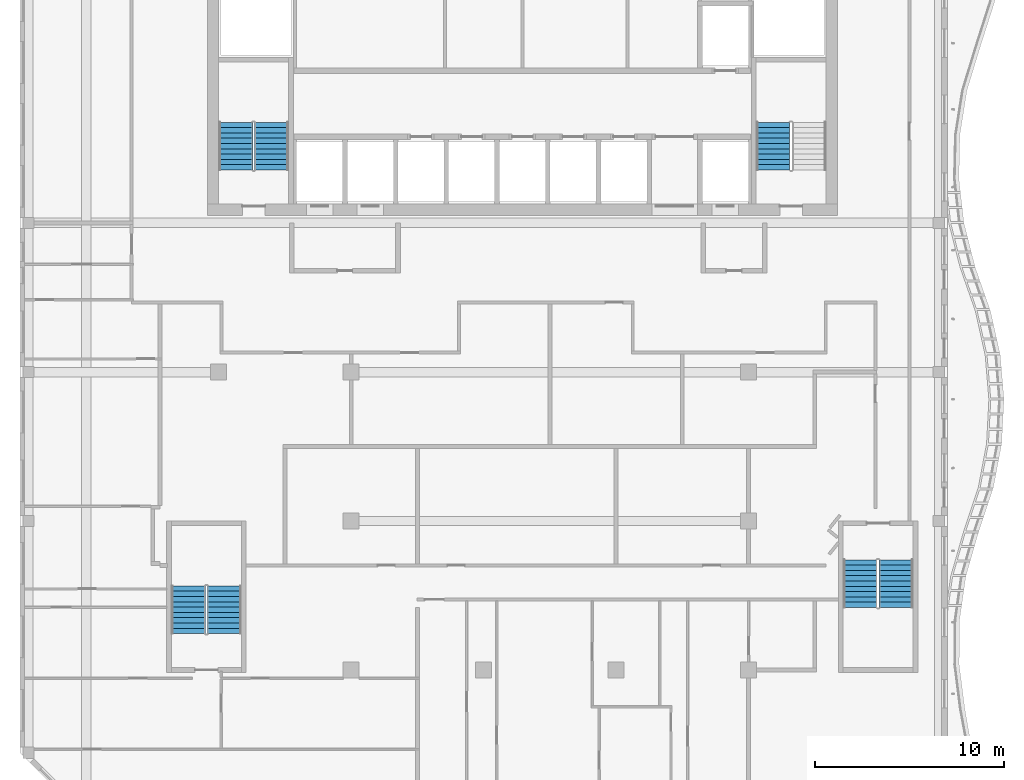
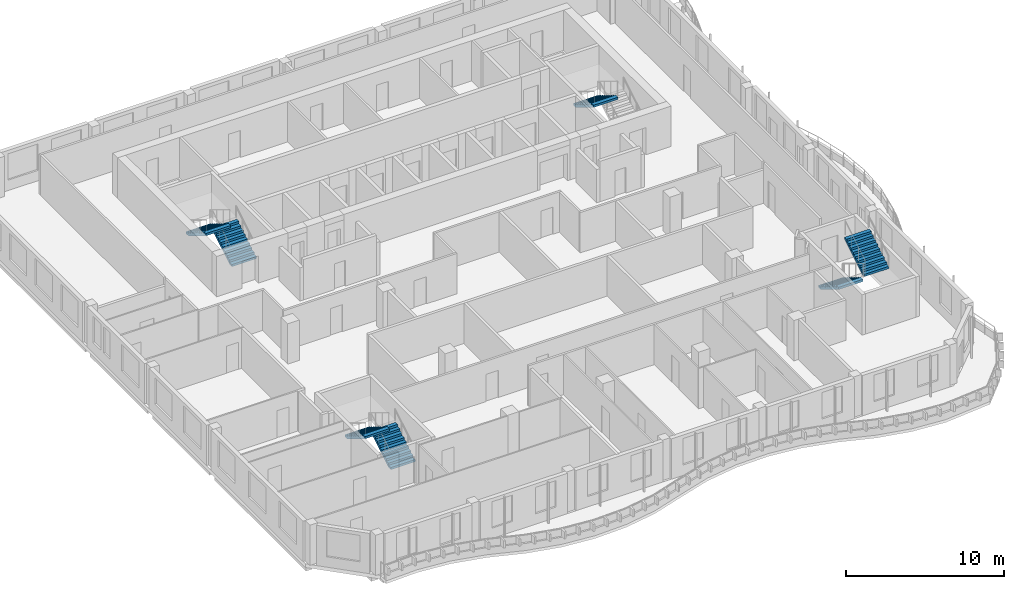
# One storey, part 9 of 18: 7 stair flights, 4 elements without a shape of their own.
"""IFC4 building model written with IfcOpenShell, lengths in metres."""

import ifcopenshell
import ifcopenshell.guid

model = None  # the IFC model being written
_history = None  # IfcOwnerHistory: only IFC2X3 demands one
_inside = {}  # id of a spatial element -> (the spatial element, [elements in it])
_under = {}  # id of a project, library or spatial element -> (it, [spatial elements below it])
_declared = {}  # id of a project -> (the project, [libraries it declares])
_typed = {}  # id of a type object -> (the type object, [elements of that type])
_made_of = {}  # id of a material, layer set ... -> (it, [elements and type objects made of it])


def new_model(schema):
    """Start an empty IFC model of exactly this schema.

    Asked for "IFC4X3", IfcOpenShell would pick the latest addendum, in which some entities
    have other attributes; the version numbers below select the first issue.
    IFC2X3 requires an IfcOwnerHistory on every rooted entity: one is made here for all.
    """
    global model, _history
    if schema == "IFC4X3":
        model = ifcopenshell.file(schema_version=(4, 3, 0, 0))
    else:
        model = ifcopenshell.file(schema=schema)
    _inside.clear()
    _under.clear()
    _declared.clear()
    _typed.clear()
    _made_of.clear()
    _history = None
    if model.schema == "IFC2X3":
        org = make("IfcOrganization", Name="unknown")
        user = make(
            "IfcPersonAndOrganization",
            ThePerson=make("IfcPerson", FamilyName="unknown"),
            TheOrganization=org,
        )
        app = make(
            "IfcApplication",
            ApplicationDeveloper=org,
            Version="unknown",
            ApplicationFullName="unknown",
            ApplicationIdentifier="unknown",
        )
        _history = make(
            "IfcOwnerHistory",
            OwningUser=user,
            OwningApplication=app,
            ChangeAction="ADDED",
            CreationDate=0,
        )
    return model


def make(cls, **values):
    """One entity of the class cls with the attributes given. An attribute that is None is left unset."""
    return model.create_entity(
        cls, **{name: value for name, value in values.items() if value is not None}
    )


def rooted(cls, **values):
    """An entity with a GlobalId (a new one), such as an element, a storey or a relation."""
    return make(cls, GlobalId=ifcopenshell.guid.new(), OwnerHistory=_history, **values)


def si_unit(unit_type, name, prefix=None):
    """IfcSIUnit, for example si_unit("LENGTHUNIT", "METRE", prefix="MILLI")."""
    return make("IfcSIUnit", UnitType=unit_type, Prefix=prefix, Name=name)


def assignment(units):
    """IfcUnitAssignment: the units of a project."""
    return None if units is None else make("IfcUnitAssignment", Units=units)


def point(xyz):
    """IfcCartesianPoint."""
    return None if xyz is None else make("IfcCartesianPoint", Coordinates=xyz)


def direction(xyz):
    """IfcDirection."""
    return None if xyz is None else make("IfcDirection", DirectionRatios=xyz)


def frame(location, z_axis=None, x_axis=None):
    """IfcAxis2Placement3D, a coordinate frame: its origin and axes. An axis left out is left unset."""
    return make(
        "IfcAxis2Placement3D",
        Location=point(location),
        Axis=direction(z_axis),
        RefDirection=direction(x_axis),
    )


def origin():
    """The frame at (0, 0, 0) with its axes left unset."""
    return frame((0.0, 0.0, 0.0))


def place(relative_to, where):
    """IfcLocalPlacement: puts the frame where relative to a parent placement (None: the world)."""
    return make(
        "IfcLocalPlacement", PlacementRelTo=relative_to, RelativePlacement=where
    )


def context(
    kind, dimensions, precision=None, world=None, true_north=None, identifier=None
):
    """IfcGeometricRepresentationContext, for example the 3D "Model" context."""
    return make(
        "IfcGeometricRepresentationContext",
        ContextIdentifier=identifier,
        ContextType=kind,
        CoordinateSpaceDimension=dimensions,
        Precision=precision,
        WorldCoordinateSystem=world,
        TrueNorth=true_north,
    )


def subcontext(parent, identifier, kind, view, scale=None):
    """IfcGeometricRepresentationSubContext, for example "Body" below "Model"."""
    return make(
        "IfcGeometricRepresentationSubContext",
        ContextIdentifier=identifier,
        ContextType=kind,
        ParentContext=parent,
        TargetScale=scale,
        TargetView=view,
    )


def project(units=None, contexts=None):
    """IfcProject with its units and contexts."""
    return rooted(
        "IfcProject",
        Name="project",
        RepresentationContexts=contexts,
        UnitsInContext=assignment(units),
    )


def spatial(cls, under=None, at=None, **own):
    """A site, building, storey or space (cls), placed at a placement, below another one or the project."""
    s = rooted(cls, ObjectPlacement=at, **own)
    if under is not None:
        _under.setdefault(under.id(), (under, []))[1].append(s)
    return s


def point_list(points):
    """IfcCartesianPointList2D or 3D."""
    cls = (
        "IfcCartesianPointList2D" if len(points[0]) == 2 else "IfcCartesianPointList3D"
    )
    return make(cls, CoordList=points)


def triangles(points, corners, closed=None, point_numbers=None):
    """IfcTriangulatedFaceSet: each triangle names its three corners, points numbered from 1."""
    return make(
        "IfcTriangulatedFaceSet",
        Coordinates=point_list(points),
        Closed=closed,
        CoordIndex=corners,
        PnIndex=point_numbers,
    )


def shape(context_of_items, identifier, shape_type, items):
    """IfcShapeRepresentation: the items that make up one representation, for example the "Body"."""
    return make(
        "IfcShapeRepresentation",
        ContextOfItems=context_of_items,
        RepresentationIdentifier=identifier,
        RepresentationType=shape_type,
        Items=items,
    )


def source(mapping_origin, context_of_items, identifier, shape_type, items):
    """IfcRepresentationMap: a shape defined once, which mapped items show again and again."""
    return make(
        "IfcRepresentationMap",
        MappingOrigin=mapping_origin,
        MappedRepresentation=shape(context_of_items, identifier, shape_type, items),
    )


def transform(
    local_origin,
    x_axis=None,
    y_axis=None,
    z_axis=None,
    scale=None,
    scale2=None,
    scale3=None,
    uniform=True,
):
    """IfcCartesianTransformationOperator3D, or its non-uniform kind. x_axis, y_axis, z_axis: its Axis1, 2, 3."""
    if uniform:
        return make(
            "IfcCartesianTransformationOperator3D",
            Axis1=direction(x_axis),
            Axis2=direction(y_axis),
            LocalOrigin=point(local_origin),
            Scale=scale,
            Axis3=direction(z_axis),
        )
    return make(
        "IfcCartesianTransformationOperator3DnonUniform",
        Axis1=direction(x_axis),
        Axis2=direction(y_axis),
        LocalOrigin=point(local_origin),
        Scale=scale,
        Axis3=direction(z_axis),
        Scale2=scale2,
        Scale3=scale3,
    )


def mapped(mapping_source, mapping_target):
    """IfcMappedItem: shows the shape of a source again, moved by a transform."""
    return make(
        "IfcMappedItem", MappingSource=mapping_source, MappingTarget=mapping_target
    )


def material(Name=None, Category=None):
    """IfcMaterial."""
    return make("IfcMaterial", Name=Name, Category=Category)


def made_of(thing, what):
    """Note that an element or type object is made of a material, layer set ...; save() writes the relation."""
    if what is not None:
        _made_of.setdefault(what.id(), (what, []))[1].append(thing)
    return thing


def type_object(cls, material=None, **own):
    """A type object (cls), such as IfcWallType, which elements share."""
    return made_of(rooted(cls, **own), material)


def element(
    cls,
    number,
    at=None,
    inside=None,
    cuts=None,
    type_object=None,
    material=None,
    context=None,
    identifier="Body",
    shape_type=None,
    held_by="IfcProductDefinitionShape",
    body=None,
    shapes=None,
    **own,
):
    """One element of the class cls, such as IfcWall. Its Tag is "e" and its number.

    at: its placement. inside: the storey or other place that contains it. cuts: it is an
    opening in that element (IfcRelVoidsElement). A single representation is given by context,
    identifier, shape_type and body (its items); several are given by shapes. held_by: the class
    of the entity that holds the representations. save() writes the other relations.
    """
    e = rooted(cls, Tag="e%d" % number, ObjectPlacement=at, **own)
    if body is not None:
        shapes = [shape(context, identifier, shape_type, body)]
    if shapes is not None:
        e.Representation = make(held_by, Representations=shapes)
    if inside is not None:
        _inside.setdefault(inside.id(), (inside, []))[1].append(e)
    if cuts is not None:
        rooted(
            "IfcRelVoidsElement", RelatingBuildingElement=cuts, RelatedOpeningElement=e
        )
    if type_object is not None:
        _typed.setdefault(type_object.id(), (type_object, []))[1].append(e)
    return made_of(e, material)


def aggregate(whole, parts):
    """IfcRelAggregates: a whole, such as a stair, and the parts it consists of."""
    return rooted("IfcRelAggregates", RelatingObject=whole, RelatedObjects=parts)


def save(model, path):
    """Write the relations noted so far, then the file.

    IfcRelAggregates (storeys below a building ...), IfcRelContainedInSpatialStructure (elements
    in a storey), IfcRelDefinesByType, IfcRelAssociatesMaterial and IfcRelDeclares: one each for
    every whole, place, type object, material and project.
    """
    for whole, parts in _under.values():
        aggregate(whole, parts)
    for where, things in _inside.values():
        rooted(
            "IfcRelContainedInSpatialStructure",
            RelatedElements=things,
            RelatingStructure=where,
        )
    for kind, things in _typed.values():
        rooted("IfcRelDefinesByType", RelatedObjects=things, RelatingType=kind)
    for what, things in _made_of.values():
        rooted("IfcRelAssociatesMaterial", RelatedObjects=things, RelatingMaterial=what)
    for by, libraries in _declared.values():
        rooted("IfcRelDeclares", RelatingContext=by, RelatedDefinitions=libraries)
    model.write(path)


model = new_model("IFC4")

# Units and contexts
model_context = context("Model", 3, precision=1e-05, world=origin(), true_north=direction((0.0, 1.0)))
body_context = subcontext(model_context, "Body", "Model", "MODEL_VIEW")
ifc_project = project(units=[si_unit("LENGTHUNIT", "METRE"), si_unit("AREAUNIT", "SQUARE_METRE"), si_unit("VOLUMEUNIT", "CUBIC_METRE"), si_unit("PLANEANGLEUNIT", "RADIAN"), si_unit("MASSUNIT", "GRAM", prefix="KILO")], contexts=[model_context])

# Site, building, storey
site_placement = place(None, origin())
site = spatial("IfcSite", under=ifc_project, at=site_placement, CompositionType="ELEMENT")
building_placement = place(site_placement, origin())
building = spatial("IfcBuilding", under=site, at=building_placement, Name="Kilnfold Tower and Market Hall", CompositionType="ELEMENT")
storey_placement = place(building_placement, frame((0.0, 0.0, 312.0)))
storey = spatial("IfcBuildingStorey", under=building, at=storey_placement, Name="L78", CompositionType="ELEMENT", Elevation=312.0)

# Stair, stair flights
ifc_material_1 = material(Name="Concrete C40/50", Category="concrete")
stair_type = type_object("IfcStairType", Name="CORE STAIR 1800", PredefinedType="HALF_TURN_STAIR", material=ifc_material_1)
stair_1_placement = place(storey_placement, origin())
stair_1 = element("IfcStair", 1, at=stair_1_placement, inside=storey, type_object=stair_type, Name="L78 ST1", PredefinedType="HALF_TURN_STAIR")
ifc_material_2 = material(Name="Concrete C40/50", Category="concrete")
stair_flight_type = type_object("IfcStairFlightType", Name="CORE STAIR FLIGHT 1800", PredefinedType="STRAIGHT", material=ifc_material_2)
shared_shape = source(origin(), body_context, "Body", "Tessellation", [
    triangles([(0.0, 0.89990234375, 0.0), (0.0, 0.78759765625, 0.0), (0.0, 0.675048828125, 0.0), (0.0, 0.5625, 0.0), (0.0, 0.449951171875, 0.0), (0.0, 0.33740234375, 0.0), (0.0, 0.22509765625, 0.0), (0.0, 0.112548828125, 0.0), (0.0, 0.0, 0.0), (0.0, -0.112548828125, 0.0), (0.0, -0.22509765625, 0.0), (0.0, -0.33740234375, 0.0), (0.0, -0.449951171875, 0.0), (0.0, -0.5625, 0.0), (0.0, -0.675048828125, 0.0), (0.0, -0.78759765625, 0.0), (0.0, -0.89990234375, 0.0), (0.0, 0.89990234375, 0.169921875), (0.0, 0.78759765625, 0.169921875), (0.0, 0.675048828125, 0.169921875), (0.0, 0.5625, 0.169921875), (0.0, 0.449951171875, 0.169921875), (0.0, 0.33740234375, 0.169921875), (0.0, 0.22509765625, 0.169921875), (0.0, 0.112548828125, 0.169921875), (0.0, 0.0, 0.169921875), (0.0, -0.112548828125, 0.169921875), (0.0, -0.22509765625, 0.169921875), (0.0, -0.33740234375, 0.169921875), (0.0, -0.449951171875, 0.169921875), (0.0, -0.5625, 0.169921875), (0.0, -0.675048828125, 0.169921875), (0.0, -0.78759765625, 0.169921875), (0.0, -0.89990234375, 0.169921875), (0.280029296875, 0.89990234375, 0.169921875), (0.280029296875, 0.78759765625, 0.169921875), (0.280029296875, 0.675048828125, 0.169921875), (0.280029296875, 0.5625, 0.169921875), (0.280029296875, 0.449951171875, 0.169921875), (0.280029296875, 0.33740234375, 0.169921875), (0.280029296875, 0.22509765625, 0.169921875), (0.280029296875, 0.112548828125, 0.169921875), (0.280029296875, 0.0, 0.169921875), (0.280029296875, -0.112548828125, 0.169921875), (0.280029296875, -0.22509765625, 0.169921875), (0.280029296875, -0.33740234375, 0.169921875), (0.280029296875, -0.449951171875, 0.169921875), (0.280029296875, -0.5625, 0.169921875), (0.280029296875, -0.675048828125, 0.169921875), (0.280029296875, -0.78759765625, 0.169921875), (0.280029296875, -0.89990234375, 0.169921875), (0.280029296875, 0.89990234375, 0.340087890625), (0.280029296875, 0.78759765625, 0.340087890625), (0.280029296875, 0.675048828125, 0.340087890625), (0.280029296875, 0.5625, 0.340087890625), (0.280029296875, 0.449951171875, 0.340087890625), (0.280029296875, 0.33740234375, 0.340087890625), (0.280029296875, 0.22509765625, 0.340087890625), (0.280029296875, 0.112548828125, 0.340087890625), (0.280029296875, 0.0, 0.340087890625), (0.280029296875, -0.112548828125, 0.340087890625), (0.280029296875, -0.22509765625, 0.340087890625), (0.280029296875, -0.33740234375, 0.340087890625), (0.280029296875, -0.449951171875, 0.340087890625), (0.280029296875, -0.5625, 0.340087890625), (0.280029296875, -0.675048828125, 0.340087890625), (0.280029296875, -0.78759765625, 0.340087890625), (0.280029296875, -0.89990234375, 0.340087890625), (0.56005859375, 0.89990234375, 0.340087890625), (0.56005859375, 0.78759765625, 0.340087890625), (0.56005859375, 0.675048828125, 0.340087890625), (0.56005859375, 0.5625, 0.340087890625), (0.56005859375, 0.449951171875, 0.340087890625), (0.56005859375, 0.33740234375, 0.340087890625), (0.56005859375, 0.22509765625, 0.340087890625), (0.56005859375, 0.112548828125, 0.340087890625), (0.56005859375, 0.0, 0.340087890625), (0.56005859375, -0.112548828125, 0.340087890625), (0.56005859375, -0.22509765625, 0.340087890625), (0.56005859375, -0.33740234375, 0.340087890625), (0.56005859375, -0.449951171875, 0.340087890625), (0.56005859375, -0.5625, 0.340087890625), (0.56005859375, -0.675048828125, 0.340087890625), (0.56005859375, -0.78759765625, 0.340087890625), (0.56005859375, -0.89990234375, 0.340087890625), (0.56005859375, 0.89990234375, 0.510009765625), (0.56005859375, 0.78759765625, 0.510009765625), (0.56005859375, 0.675048828125, 0.510009765625), (0.56005859375, 0.5625, 0.510009765625), (0.56005859375, 0.449951171875, 0.510009765625), (0.56005859375, 0.33740234375, 0.510009765625), (0.56005859375, 0.22509765625, 0.510009765625), (0.56005859375, 0.112548828125, 0.510009765625), (0.56005859375, 0.0, 0.510009765625), (0.56005859375, -0.112548828125, 0.510009765625), (0.56005859375, -0.22509765625, 0.510009765625), (0.56005859375, -0.33740234375, 0.510009765625), (0.56005859375, -0.449951171875, 0.510009765625), (0.56005859375, -0.5625, 0.510009765625), (0.56005859375, -0.675048828125, 0.510009765625), (0.56005859375, -0.78759765625, 0.510009765625), (0.56005859375, -0.89990234375, 0.510009765625), (0.840087890625, 0.89990234375, 0.510009765625), (0.840087890625, 0.78759765625, 0.510009765625), (0.840087890625, 0.675048828125, 0.510009765625), (0.840087890625, 0.5625, 0.510009765625), (0.840087890625, 0.449951171875, 0.510009765625), (0.840087890625, 0.33740234375, 0.510009765625), (0.840087890625, 0.22509765625, 0.510009765625), (0.840087890625, 0.112548828125, 0.510009765625), (0.840087890625, 0.0, 0.510009765625), (0.840087890625, -0.112548828125, 0.510009765625), (0.840087890625, -0.22509765625, 0.510009765625), (0.840087890625, -0.33740234375, 0.510009765625), (0.840087890625, -0.449951171875, 0.510009765625), (0.840087890625, -0.5625, 0.510009765625), (0.840087890625, -0.675048828125, 0.510009765625), (0.840087890625, -0.78759765625, 0.510009765625), (0.840087890625, -0.89990234375, 0.510009765625), (0.840087890625, 0.89990234375, 0.679931640625), (0.840087890625, 0.78759765625, 0.679931640625), (0.840087890625, 0.675048828125, 0.679931640625), (0.840087890625, 0.5625, 0.679931640625), (0.840087890625, 0.449951171875, 0.679931640625), (0.840087890625, 0.33740234375, 0.679931640625), (0.840087890625, 0.22509765625, 0.679931640625), (0.840087890625, 0.112548828125, 0.679931640625), (0.840087890625, 0.0, 0.679931640625), (0.840087890625, -0.112548828125, 0.679931640625), (0.840087890625, -0.22509765625, 0.679931640625), (0.840087890625, -0.33740234375, 0.679931640625), (0.840087890625, -0.449951171875, 0.679931640625), (0.840087890625, -0.5625, 0.679931640625), (0.840087890625, -0.675048828125, 0.679931640625), (0.840087890625, -0.78759765625, 0.679931640625), (0.840087890625, -0.89990234375, 0.679931640625), (1.1201171875, 0.89990234375, 0.679931640625), (1.1201171875, 0.78759765625, 0.679931640625), (1.1201171875, 0.675048828125, 0.679931640625), (1.1201171875, 0.5625, 0.679931640625), (1.1201171875, 0.449951171875, 0.679931640625), (1.1201171875, 0.33740234375, 0.679931640625), (1.1201171875, 0.22509765625, 0.679931640625), (1.1201171875, 0.112548828125, 0.679931640625), (1.1201171875, 0.0, 0.679931640625), (1.1201171875, -0.112548828125, 0.679931640625), (1.1201171875, -0.22509765625, 0.679931640625), (1.1201171875, -0.33740234375, 0.679931640625), (1.1201171875, -0.449951171875, 0.679931640625), (1.1201171875, -0.5625, 0.679931640625), (1.1201171875, -0.675048828125, 0.679931640625), (1.1201171875, -0.78759765625, 0.679931640625), (1.1201171875, -0.89990234375, 0.679931640625), (1.1201171875, 0.89990234375, 0.85009765625), (1.1201171875, 0.78759765625, 0.85009765625), (1.1201171875, 0.675048828125, 0.85009765625), (1.1201171875, 0.5625, 0.85009765625), (1.1201171875, 0.449951171875, 0.85009765625), (1.1201171875, 0.33740234375, 0.85009765625), (1.1201171875, 0.22509765625, 0.85009765625), (1.1201171875, 0.112548828125, 0.85009765625), (1.1201171875, 0.0, 0.85009765625), (1.1201171875, -0.112548828125, 0.85009765625), (1.1201171875, -0.22509765625, 0.85009765625), (1.1201171875, -0.33740234375, 0.85009765625), (1.1201171875, -0.449951171875, 0.85009765625), (1.1201171875, -0.5625, 0.85009765625), (1.1201171875, -0.675048828125, 0.85009765625), (1.1201171875, -0.78759765625, 0.85009765625), (1.1201171875, -0.89990234375, 0.85009765625), (1.39990234375, 0.89990234375, 0.85009765625), (1.39990234375, 0.78759765625, 0.85009765625), (1.39990234375, 0.675048828125, 0.85009765625), (1.39990234375, 0.5625, 0.85009765625), (1.39990234375, 0.449951171875, 0.85009765625), (1.39990234375, 0.33740234375, 0.85009765625), (1.39990234375, 0.22509765625, 0.85009765625), (1.39990234375, 0.112548828125, 0.85009765625), (1.39990234375, 0.0, 0.85009765625), (1.39990234375, -0.112548828125, 0.85009765625), (1.39990234375, -0.22509765625, 0.85009765625), (1.39990234375, -0.33740234375, 0.85009765625), (1.39990234375, -0.449951171875, 0.85009765625), (1.39990234375, -0.5625, 0.85009765625), (1.39990234375, -0.675048828125, 0.85009765625), (1.39990234375, -0.78759765625, 0.85009765625), (1.39990234375, -0.89990234375, 0.85009765625), (1.39990234375, 0.89990234375, 1.02001953125), (1.39990234375, 0.78759765625, 1.02001953125), (1.39990234375, 0.675048828125, 1.02001953125), (1.39990234375, 0.5625, 1.02001953125), (1.39990234375, 0.449951171875, 1.02001953125), (1.39990234375, 0.33740234375, 1.02001953125), (1.39990234375, 0.22509765625, 1.02001953125), (1.39990234375, 0.112548828125, 1.02001953125), (1.39990234375, 0.0, 1.02001953125), (1.39990234375, -0.112548828125, 1.02001953125), (1.39990234375, -0.22509765625, 1.02001953125), (1.39990234375, -0.33740234375, 1.02001953125), (1.39990234375, -0.449951171875, 1.02001953125), (1.39990234375, -0.5625, 1.02001953125), (1.39990234375, -0.675048828125, 1.02001953125), (1.39990234375, -0.78759765625, 1.02001953125), (1.39990234375, -0.89990234375, 1.02001953125), (1.679931640625, 0.89990234375, 1.02001953125), (1.679931640625, 0.78759765625, 1.02001953125), (1.679931640625, 0.675048828125, 1.02001953125), (1.679931640625, 0.5625, 1.02001953125), (1.679931640625, 0.449951171875, 1.02001953125), (1.679931640625, 0.33740234375, 1.02001953125), (1.679931640625, 0.22509765625, 1.02001953125), (1.679931640625, 0.112548828125, 1.02001953125), (1.679931640625, 0.0, 1.02001953125), (1.679931640625, -0.112548828125, 1.02001953125), (1.679931640625, -0.22509765625, 1.02001953125), (1.679931640625, -0.33740234375, 1.02001953125), (1.679931640625, -0.449951171875, 1.02001953125), (1.679931640625, -0.5625, 1.02001953125), (1.679931640625, -0.675048828125, 1.02001953125), (1.679931640625, -0.78759765625, 1.02001953125), (1.679931640625, -0.89990234375, 1.02001953125), (1.679931640625, 0.89990234375, 1.18994140625), (1.679931640625, 0.78759765625, 1.18994140625), (1.679931640625, 0.675048828125, 1.18994140625), (1.679931640625, 0.5625, 1.18994140625), (1.679931640625, 0.449951171875, 1.18994140625), (1.679931640625, 0.33740234375, 1.18994140625), (1.679931640625, 0.22509765625, 1.18994140625), (1.679931640625, 0.112548828125, 1.18994140625), (1.679931640625, 0.0, 1.18994140625), (1.679931640625, -0.112548828125, 1.18994140625), (1.679931640625, -0.22509765625, 1.18994140625), (1.679931640625, -0.33740234375, 1.18994140625), (1.679931640625, -0.449951171875, 1.18994140625), (1.679931640625, -0.5625, 1.18994140625), (1.679931640625, -0.675048828125, 1.18994140625), (1.679931640625, -0.78759765625, 1.18994140625), (1.679931640625, -0.89990234375, 1.18994140625), (1.9599609375, 0.89990234375, 1.18994140625), (1.9599609375, 0.78759765625, 1.18994140625), (1.9599609375, 0.675048828125, 1.18994140625), (1.9599609375, 0.5625, 1.18994140625), (1.9599609375, 0.449951171875, 1.18994140625), (1.9599609375, 0.33740234375, 1.18994140625), (1.9599609375, 0.22509765625, 1.18994140625), (1.9599609375, 0.112548828125, 1.18994140625), (1.9599609375, 0.0, 1.18994140625), (1.9599609375, -0.112548828125, 1.18994140625), (1.9599609375, -0.22509765625, 1.18994140625), (1.9599609375, -0.33740234375, 1.18994140625), (1.9599609375, -0.449951171875, 1.18994140625), (1.9599609375, -0.5625, 1.18994140625), (1.9599609375, -0.675048828125, 1.18994140625), (1.9599609375, -0.78759765625, 1.18994140625), (1.9599609375, -0.89990234375, 1.18994140625), (1.9599609375, 0.89990234375, 1.360107421875), (1.9599609375, 0.78759765625, 1.360107421875), (1.9599609375, 0.675048828125, 1.360107421875), (1.9599609375, 0.5625, 1.360107421875), (1.9599609375, 0.449951171875, 1.360107421875), (1.9599609375, 0.33740234375, 1.360107421875), (1.9599609375, 0.22509765625, 1.360107421875), (1.9599609375, 0.112548828125, 1.360107421875), (1.9599609375, 0.0, 1.360107421875), (1.9599609375, -0.112548828125, 1.360107421875), (1.9599609375, -0.22509765625, 1.360107421875), (1.9599609375, -0.33740234375, 1.360107421875), (1.9599609375, -0.449951171875, 1.360107421875), (1.9599609375, -0.5625, 1.360107421875), (1.9599609375, -0.675048828125, 1.360107421875), (1.9599609375, -0.78759765625, 1.360107421875), (1.9599609375, -0.89990234375, 1.360107421875), (2.239990234375, 0.89990234375, 1.360107421875), (2.239990234375, 0.78759765625, 1.360107421875), (2.239990234375, 0.675048828125, 1.360107421875), (2.239990234375, 0.5625, 1.360107421875), (2.239990234375, 0.449951171875, 1.360107421875), (2.239990234375, 0.33740234375, 1.360107421875), (2.239990234375, 0.22509765625, 1.360107421875), (2.239990234375, 0.112548828125, 1.360107421875), (2.239990234375, 0.0, 1.360107421875), (2.239990234375, -0.112548828125, 1.360107421875), (2.239990234375, -0.22509765625, 1.360107421875), (2.239990234375, -0.33740234375, 1.360107421875), (2.239990234375, -0.449951171875, 1.360107421875), (2.239990234375, -0.5625, 1.360107421875), (2.239990234375, -0.675048828125, 1.360107421875), (2.239990234375, -0.78759765625, 1.360107421875), (2.239990234375, -0.89990234375, 1.360107421875), (2.239990234375, 0.89990234375, 1.530029296875), (2.239990234375, 0.78759765625, 1.530029296875), (2.239990234375, 0.675048828125, 1.530029296875), (2.239990234375, 0.5625, 1.530029296875), (2.239990234375, 0.449951171875, 1.530029296875), (2.239990234375, 0.33740234375, 1.530029296875), (2.239990234375, 0.22509765625, 1.530029296875), (2.239990234375, 0.112548828125, 1.530029296875), (2.239990234375, 0.0, 1.530029296875), (2.239990234375, -0.112548828125, 1.530029296875), (2.239990234375, -0.22509765625, 1.530029296875), (2.239990234375, -0.33740234375, 1.530029296875), (2.239990234375, -0.449951171875, 1.530029296875), (2.239990234375, -0.5625, 1.530029296875), (2.239990234375, -0.675048828125, 1.530029296875), (2.239990234375, -0.78759765625, 1.530029296875), (2.239990234375, -0.89990234375, 1.530029296875), (2.52001953125, 0.89990234375, 1.530029296875), (2.52001953125, 0.78759765625, 1.530029296875), (2.52001953125, 0.675048828125, 1.530029296875), (2.52001953125, 0.5625, 1.530029296875), (2.52001953125, 0.449951171875, 1.530029296875), (2.52001953125, 0.33740234375, 1.530029296875), (2.52001953125, 0.22509765625, 1.530029296875), (2.52001953125, 0.112548828125, 1.530029296875), (2.52001953125, 0.0, 1.530029296875), (2.52001953125, -0.112548828125, 1.530029296875), (2.52001953125, -0.22509765625, 1.530029296875), (2.52001953125, -0.33740234375, 1.530029296875), (2.52001953125, -0.449951171875, 1.530029296875), (2.52001953125, -0.5625, 1.530029296875), (2.52001953125, -0.675048828125, 1.530029296875), (2.52001953125, -0.78759765625, 1.530029296875), (2.52001953125, -0.89990234375, 1.530029296875), (2.52001953125, 0.89990234375, 1.354736328125), (2.52001953125, 0.78759765625, 1.354736328125), (2.52001953125, 0.675048828125, 1.354736328125), (2.52001953125, 0.5625, 1.354736328125), (2.52001953125, 0.449951171875, 1.354736328125), (2.52001953125, 0.33740234375, 1.354736328125), (2.52001953125, 0.22509765625, 1.354736328125), (2.52001953125, 0.112548828125, 1.354736328125), (2.52001953125, 0.0, 1.354736328125), (2.52001953125, -0.112548828125, 1.354736328125), (2.52001953125, -0.22509765625, 1.354736328125), (2.52001953125, -0.33740234375, 1.354736328125), (2.52001953125, -0.449951171875, 1.354736328125), (2.52001953125, -0.5625, 1.354736328125), (2.52001953125, -0.675048828125, 1.354736328125), (2.52001953125, -0.78759765625, 1.354736328125), (2.52001953125, -0.89990234375, 1.354736328125), (0.288818359375, 0.89990234375, 0.0), (0.288818359375, 0.78759765625, 0.0), (0.288818359375, 0.675048828125, 0.0), (0.288818359375, 0.5625, 0.0), (0.288818359375, 0.449951171875, 0.0), (0.288818359375, 0.33740234375, 0.0), (0.288818359375, 0.22509765625, 0.0), (0.288818359375, 0.112548828125, 0.0), (0.288818359375, 0.0, 0.0), (0.288818359375, -0.112548828125, 0.0), (0.288818359375, -0.22509765625, 0.0), (0.288818359375, -0.33740234375, 0.0), (0.288818359375, -0.449951171875, 0.0), (0.288818359375, -0.5625, 0.0), (0.288818359375, -0.675048828125, 0.0), (0.288818359375, -0.78759765625, 0.0), (0.288818359375, -0.89990234375, 0.0)], [[1, 324, 341], [17, 357, 340], [324, 290, 307], [340, 323, 306], [324, 273, 290], [340, 306, 289], [324, 256, 273], [340, 289, 272], [324, 239, 256], [340, 272, 255], [239, 205, 222], [255, 238, 221], [324, 205, 239], [340, 255, 221], [205, 171, 188], [221, 204, 187], [324, 171, 205], [340, 221, 187], [171, 137, 154], [187, 170, 153], [324, 137, 171], [340, 187, 153], [137, 103, 120], [153, 136, 119], [324, 103, 137], [340, 153, 119], [103, 69, 86], [119, 102, 85], [324, 69, 103], [340, 119, 85], [69, 35, 52], [85, 68, 51], [324, 35, 69], [340, 85, 51], [1, 35, 324], [17, 340, 51], [35, 1, 18], [51, 34, 17], [1, 19, 18], [1, 2, 19], [2, 20, 19], [2, 3, 20], [3, 21, 20], [3, 4, 21], [4, 22, 21], [4, 5, 22], [5, 23, 22], [5, 6, 23], [6, 24, 23], [6, 7, 24], [7, 25, 24], [7, 8, 25], [8, 26, 25], [8, 9, 26], [9, 27, 26], [9, 10, 27], [10, 28, 27], [10, 11, 28], [11, 29, 28], [11, 12, 29], [12, 30, 29], [12, 13, 30], [13, 31, 30], [13, 14, 31], [14, 32, 31], [14, 15, 32], [15, 33, 32], [15, 16, 33], [16, 34, 33], [16, 17, 34], [18, 36, 35], [18, 19, 36], [19, 37, 36], [19, 20, 37], [20, 38, 37], [20, 21, 38], [21, 39, 38], [21, 22, 39], [22, 40, 39], [22, 23, 40], [23, 41, 40], [23, 24, 41], [24, 42, 41], [24, 25, 42], [25, 43, 42], [25, 26, 43], [26, 44, 43], [26, 27, 44], [27, 45, 44], [27, 28, 45], [28, 46, 45], [28, 29, 46], [29, 47, 46], [29, 30, 47], [30, 48, 47], [30, 31, 48], [31, 49, 48], [31, 32, 49], [32, 50, 49], [32, 33, 50], [33, 51, 50], [33, 34, 51], [35, 53, 52], [35, 36, 53], [36, 54, 53], [36, 37, 54], [37, 55, 54], [37, 38, 55], [38, 56, 55], [38, 39, 56], [39, 57, 56], [39, 40, 57], [40, 58, 57], [40, 41, 58], [41, 59, 58], [41, 42, 59], [42, 60, 59], [42, 43, 60], [43, 61, 60], [43, 44, 61], [44, 62, 61], [44, 45, 62], [45, 63, 62], [45, 46, 63], [46, 64, 63], [46, 47, 64], [47, 65, 64], [47, 48, 65], [48, 66, 65], [48, 49, 66], [49, 67, 66], [49, 50, 67], [50, 68, 67], [50, 51, 68], [52, 70, 69], [52, 53, 70], [53, 71, 70], [53, 54, 71], [54, 72, 71], [54, 55, 72], [55, 73, 72], [55, 56, 73], [56, 74, 73], [56, 57, 74], [57, 75, 74], [57, 58, 75], [58, 76, 75], [58, 59, 76], [59, 77, 76], [59, 60, 77], [60, 78, 77], [60, 61, 78], [61, 79, 78], [61, 62, 79], [62, 80, 79], [62, 63, 80], [63, 81, 80], [63, 64, 81], [64, 82, 81], [64, 65, 82], [65, 83, 82], [65, 66, 83], [66, 84, 83], [66, 67, 84], [67, 85, 84], [67, 68, 85], [69, 87, 86], [69, 70, 87], [70, 88, 87], [70, 71, 88], [71, 89, 88], [71, 72, 89], [72, 90, 89], [72, 73, 90], [73, 91, 90], [73, 74, 91], [74, 92, 91], [74, 75, 92], [75, 93, 92], [75, 76, 93], [76, 94, 93], [76, 77, 94], [77, 95, 94], [77, 78, 95], [78, 96, 95], [78, 79, 96], [79, 97, 96], [79, 80, 97], [80, 98, 97], [80, 81, 98], [81, 99, 98], [81, 82, 99], [82, 100, 99], [82, 83, 100], [83, 101, 100], [83, 84, 101], [84, 102, 101], [84, 85, 102], [86, 104, 103], [86, 87, 104], [87, 105, 104], [87, 88, 105], [88, 106, 105], [88, 89, 106], [89, 107, 106], [89, 90, 107], [90, 108, 107], [90, 91, 108], [91, 109, 108], [91, 92, 109], [92, 110, 109], [92, 93, 110], [93, 111, 110], [93, 94, 111], [94, 112, 111], [94, 95, 112], [95, 113, 112], [95, 96, 113], [96, 114, 113], [96, 97, 114], [97, 115, 114], [97, 98, 115], [98, 116, 115], [98, 99, 116], [99, 117, 116], [99, 100, 117], [100, 118, 117], [100, 101, 118], [101, 119, 118], [101, 102, 119], [103, 121, 120], [103, 104, 121], [104, 122, 121], [104, 105, 122], [105, 123, 122], [105, 106, 123], [106, 124, 123], [106, 107, 124], [107, 125, 124], [107, 108, 125], [108, 126, 125], [108, 109, 126], [109, 127, 126], [109, 110, 127], [110, 128, 127], [110, 111, 128], [111, 129, 128], [111, 112, 129], [112, 130, 129], [112, 113, 130], [113, 131, 130], [113, 114, 131], [114, 132, 131], [114, 115, 132], [115, 133, 132], [115, 116, 133], [116, 134, 133], [116, 117, 134], [117, 135, 134], [117, 118, 135], [118, 136, 135], [118, 119, 136], [120, 138, 137], [120, 121, 138], [121, 139, 138], [121, 122, 139], [122, 140, 139], [122, 123, 140], [123, 141, 140], [123, 124, 141], [124, 142, 141], [124, 125, 142], [125, 143, 142], [125, 126, 143], [126, 144, 143], [126, 127, 144], [127, 145, 144], [127, 128, 145], [128, 146, 145], [128, 129, 146], [129, 147, 146], [129, 130, 147], [130, 148, 147], [130, 131, 148], [131, 149, 148], [131, 132, 149], [132, 150, 149], [132, 133, 150], [133, 151, 150], [133, 134, 151], [134, 152, 151], [134, 135, 152], [135, 153, 152], [135, 136, 153], [137, 155, 154], [137, 138, 155], [138, 156, 155], [138, 139, 156], [139, 157, 156], [139, 140, 157], [140, 158, 157], [140, 141, 158], [141, 159, 158], [141, 142, 159], [142, 160, 159], [142, 143, 160], [143, 161, 160], [143, 144, 161], [144, 162, 161], [144, 145, 162], [145, 163, 162], [145, 146, 163], [146, 164, 163], [146, 147, 164], [147, 165, 164], [147, 148, 165], [148, 166, 165], [148, 149, 166], [149, 167, 166], [149, 150, 167], [150, 168, 167], [150, 151, 168], [151, 169, 168], [151, 152, 169], [152, 170, 169], [152, 153, 170], [154, 172, 171], [154, 155, 172], [155, 173, 172], [155, 156, 173], [156, 174, 173], [156, 157, 174], [157, 175, 174], [157, 158, 175], [158, 176, 175], [158, 159, 176], [159, 177, 176], [159, 160, 177], [160, 178, 177], [160, 161, 178], [161, 179, 178], [161, 162, 179], [162, 180, 179], [162, 163, 180], [163, 181, 180], [163, 164, 181], [164, 182, 181], [164, 165, 182], [165, 183, 182], [165, 166, 183], [166, 184, 183], [166, 167, 184], [167, 185, 184], [167, 168, 185], [168, 186, 185], [168, 169, 186], [169, 187, 186], [169, 170, 187], [171, 189, 188], [171, 172, 189], [172, 190, 189], [172, 173, 190], [173, 191, 190], [173, 174, 191], [174, 192, 191], [174, 175, 192], [175, 193, 192], [175, 176, 193], [176, 194, 193], [176, 177, 194], [177, 195, 194], [177, 178, 195], [178, 196, 195], [178, 179, 196], [179, 197, 196], [179, 180, 197], [180, 198, 197], [180, 181, 198], [181, 199, 198], [181, 182, 199], [182, 200, 199], [182, 183, 200], [183, 201, 200], [183, 184, 201], [184, 202, 201], [184, 185, 202], [185, 203, 202], [185, 186, 203], [186, 204, 203], [186, 187, 204], [188, 206, 205], [188, 189, 206], [189, 207, 206], [189, 190, 207], [190, 208, 207], [190, 191, 208], [191, 209, 208], [191, 192, 209], [192, 210, 209], [192, 193, 210], [193, 211, 210], [193, 194, 211], [194, 212, 211], [194, 195, 212], [195, 213, 212], [195, 196, 213], [196, 214, 213], [196, 197, 214], [197, 215, 214], [197, 198, 215], [198, 216, 215], [198, 199, 216], [199, 217, 216], [199, 200, 217], [200, 218, 217], [200, 201, 218], [201, 219, 218], [201, 202, 219], [202, 220, 219], [202, 203, 220], [203, 221, 220], [203, 204, 221], [205, 223, 222], [205, 206, 223], [206, 224, 223], [206, 207, 224], [207, 225, 224], [207, 208, 225], [208, 226, 225], [208, 209, 226], [209, 227, 226], [209, 210, 227], [210, 228, 227], [210, 211, 228], [211, 229, 228], [211, 212, 229], [212, 230, 229], [212, 213, 230], [213, 231, 230], [213, 214, 231], [214, 232, 231], [214, 215, 232], [215, 233, 232], [215, 216, 233], [216, 234, 233], [216, 217, 234], [217, 235, 234], [217, 218, 235], [218, 236, 235], [218, 219, 236], [219, 237, 236], [219, 220, 237], [220, 238, 237], [220, 221, 238], [222, 240, 239], [222, 223, 240], [223, 241, 240], [223, 224, 241], [224, 242, 241], [224, 225, 242], [225, 243, 242], [225, 226, 243], [226, 244, 243], [226, 227, 244], [227, 245, 244], [227, 228, 245], [228, 246, 245], [228, 229, 246], [229, 247, 246], [229, 230, 247], [230, 248, 247], [230, 231, 248], [231, 249, 248], [231, 232, 249], [232, 250, 249], [232, 233, 250], [233, 251, 250], [233, 234, 251], [234, 252, 251], [234, 235, 252], [235, 253, 252], [235, 236, 253], [236, 254, 253], [236, 237, 254], [237, 255, 254], [237, 238, 255], [239, 257, 256], [239, 240, 257], [240, 258, 257], [240, 241, 258], [241, 259, 258], [241, 242, 259], [242, 260, 259], [242, 243, 260], [243, 261, 260], [243, 244, 261], [244, 262, 261], [244, 245, 262], [245, 263, 262], [245, 246, 263], [246, 264, 263], [246, 247, 264], [247, 265, 264], [247, 248, 265], [248, 266, 265], [248, 249, 266], [249, 267, 266], [249, 250, 267], [250, 268, 267], [250, 251, 268], [251, 269, 268], [251, 252, 269], [252, 270, 269], [252, 253, 270], [253, 271, 270], [253, 254, 271], [254, 272, 271], [254, 255, 272], [256, 274, 273], [256, 257, 274], [257, 275, 274], [257, 258, 275], [258, 276, 275], [258, 259, 276], [259, 277, 276], [259, 260, 277], [260, 278, 277], [260, 261, 278], [261, 279, 278], [261, 262, 279], [262, 280, 279], [262, 263, 280], [263, 281, 280], [263, 264, 281], [264, 282, 281], [264, 265, 282], [265, 283, 282], [265, 266, 283], [266, 284, 283], [266, 267, 284], [267, 285, 284], [267, 268, 285], [268, 286, 285], [268, 269, 286], [269, 287, 286], [269, 270, 287], [270, 288, 287], [270, 271, 288], [271, 289, 288], [271, 272, 289], [273, 291, 290], [273, 274, 291], [274, 292, 291], [274, 275, 292], [275, 293, 292], [275, 276, 293], [276, 294, 293], [276, 277, 294], [277, 295, 294], [277, 278, 295], [278, 296, 295], [278, 279, 296], [279, 297, 296], [279, 280, 297], [280, 298, 297], [280, 281, 298], [281, 299, 298], [281, 282, 299], [282, 300, 299], [282, 283, 300], [283, 301, 300], [283, 284, 301], [284, 302, 301], [284, 285, 302], [285, 303, 302], [285, 286, 303], [286, 304, 303], [286, 287, 304], [287, 305, 304], [287, 288, 305], [288, 306, 305], [288, 289, 306], [290, 308, 307], [290, 291, 308], [291, 309, 308], [291, 292, 309], [292, 310, 309], [292, 293, 310], [293, 311, 310], [293, 294, 311], [294, 312, 311], [294, 295, 312], [295, 313, 312], [295, 296, 313], [296, 314, 313], [296, 297, 314], [297, 315, 314], [297, 298, 315], [298, 316, 315], [298, 299, 316], [299, 317, 316], [299, 300, 317], [300, 318, 317], [300, 301, 318], [301, 319, 318], [301, 302, 319], [302, 320, 319], [302, 303, 320], [303, 321, 320], [303, 304, 321], [304, 322, 321], [304, 305, 322], [305, 323, 322], [305, 306, 323], [307, 325, 324], [307, 308, 325], [308, 326, 325], [308, 309, 326], [309, 327, 326], [309, 310, 327], [310, 328, 327], [310, 311, 328], [311, 329, 328], [311, 312, 329], [312, 330, 329], [312, 313, 330], [313, 331, 330], [313, 314, 331], [314, 332, 331], [314, 315, 332], [315, 333, 332], [315, 316, 333], [316, 334, 333], [316, 317, 334], [317, 335, 334], [317, 318, 335], [318, 336, 335], [318, 319, 336], [319, 337, 336], [319, 320, 337], [320, 338, 337], [320, 321, 338], [321, 339, 338], [321, 322, 339], [322, 340, 339], [322, 323, 340], [324, 342, 341], [324, 325, 342], [325, 343, 342], [325, 326, 343], [326, 344, 343], [326, 327, 344], [327, 345, 344], [327, 328, 345], [328, 346, 345], [328, 329, 346], [329, 347, 346], [329, 330, 347], [330, 348, 347], [330, 331, 348], [331, 349, 348], [331, 332, 349], [332, 350, 349], [332, 333, 350], [333, 351, 350], [333, 334, 351], [334, 352, 351], [334, 335, 352], [335, 353, 352], [335, 336, 353], [336, 354, 353], [336, 337, 354], [337, 355, 354], [337, 338, 355], [338, 356, 355], [338, 339, 356], [339, 357, 356], [339, 340, 357], [341, 2, 1], [341, 342, 2], [342, 3, 2], [342, 343, 3], [343, 4, 3], [343, 344, 4], [344, 5, 4], [344, 345, 5], [345, 6, 5], [345, 346, 6], [346, 7, 6], [346, 347, 7], [347, 8, 7], [347, 348, 8], [348, 9, 8], [348, 349, 9], [349, 10, 9], [349, 350, 10], [350, 11, 10], [350, 351, 11], [351, 12, 11], [351, 352, 12], [352, 13, 12], [352, 353, 13], [353, 14, 13], [353, 354, 14], [354, 15, 14], [354, 355, 15], [355, 16, 15], [355, 356, 16], [356, 17, 16], [356, 357, 17]], closed=True),
])
stair_flight_1_placement = place(storey_placement, frame((-12.199951171875, 10.800048828125, 0.0), z_axis=(0.0, 0.0, 1.0), x_axis=(0.0, 1.0, 0.0)))
stair_flight_1 = element("IfcStairFlight", 2, at=stair_flight_1_placement, type_object=stair_flight_type, Name="ST1 flight 1", NumberOfRisers=10, NumberOfTreads=9, PredefinedType="STRAIGHT", RiserHeight=0.17, TreadLength=0.28, context=body_context, shape_type="MappedRepresentation", body=[
    mapped(shared_shape, transform((0.0, 0.0, 0.0))),
])
stair_flight_2_placement = place(storey_placement, frame((-14.10009765625, 13.320068359375, 1.699951171875), z_axis=(0.0, 0.0, 1.0), x_axis=(0.0, -1.0, 0.0)))
stair_flight_2 = element("IfcStairFlight", 3, at=stair_flight_2_placement, type_object=stair_flight_type, Name="ST1 flight 2", NumberOfRisers=10, NumberOfTreads=9, PredefinedType="STRAIGHT", RiserHeight=0.17, TreadLength=0.28, context=body_context, shape_type="MappedRepresentation", body=[
    mapped(shared_shape, transform((0.0, 0.0, 0.0))),
])
aggregate(stair_1, [stair_flight_1, stair_flight_2])

# Stair, stair flight
stair_2_placement = place(storey_placement, origin())
stair_2 = element("IfcStair", 4, at=stair_2_placement, inside=storey, type_object=stair_type, Name="L78 ST2", PredefinedType="HALF_TURN_STAIR")
stair_flight_3_placement = place(storey_placement, frame((14.300048828125, 13.320068359375, 1.699951171875), z_axis=(0.0, 0.0, 1.0), x_axis=(0.0, -1.0, 0.0)))
stair_flight_3 = element("IfcStairFlight", 5, at=stair_flight_3_placement, type_object=stair_flight_type, Name="ST2 flight 2", NumberOfRisers=10, NumberOfTreads=9, PredefinedType="STRAIGHT", RiserHeight=0.17, TreadLength=0.28, context=body_context, shape_type="MappedRepresentation", body=[
    mapped(shared_shape, transform((0.0, 0.0, 0.0))),
])
aggregate(stair_2, [stair_flight_3])

# Stair, stair flights
stair_3_placement = place(storey_placement, origin())
stair_3 = element("IfcStair", 6, at=stair_3_placement, inside=storey, type_object=stair_type, Name="L78 ST3", PredefinedType="HALF_TURN_STAIR")
stair_flight_4_placement = place(storey_placement, frame((-14.699951171875, -13.699951171875, 0.0), z_axis=(0.0, 0.0, 1.0), x_axis=(0.0, 1.0, 0.0)))
stair_flight_4 = element("IfcStairFlight", 7, at=stair_flight_4_placement, type_object=stair_flight_type, Name="ST3 flight 1", NumberOfRisers=10, NumberOfTreads=9, PredefinedType="STRAIGHT", RiserHeight=0.17, TreadLength=0.28, context=body_context, shape_type="MappedRepresentation", body=[
    mapped(shared_shape, transform((0.0, 0.0, 0.0))),
])
stair_flight_5_placement = place(storey_placement, frame((-16.60009765625, -11.179931640625, 1.699951171875), z_axis=(0.0, 0.0, 1.0), x_axis=(0.0, -1.0, 0.0)))
stair_flight_5 = element("IfcStairFlight", 8, at=stair_flight_5_placement, type_object=stair_flight_type, Name="ST3 flight 2", NumberOfRisers=10, NumberOfTreads=9, PredefinedType="STRAIGHT", RiserHeight=0.17, TreadLength=0.28, context=body_context, shape_type="MappedRepresentation", body=[
    mapped(shared_shape, transform((0.0, 0.0, 0.0))),
])
aggregate(stair_3, [stair_flight_4, stair_flight_5])

stair_4_placement = place(storey_placement, origin())
stair_4 = element("IfcStair", 9, at=stair_4_placement, inside=storey, type_object=stair_type, Name="L78 ST4", PredefinedType="HALF_TURN_STAIR")
stair_flight_6_placement = place(storey_placement, frame((18.89990234375, -9.800048828125, 0.0), z_axis=(0.0, 0.0, 1.0), x_axis=(0.0, -1.0, 0.0)))
stair_flight_6 = element("IfcStairFlight", 10, at=stair_flight_6_placement, type_object=stair_flight_type, Name="ST4 flight 1", NumberOfRisers=10, NumberOfTreads=9, PredefinedType="STRAIGHT", RiserHeight=0.17, TreadLength=0.28, context=body_context, shape_type="MappedRepresentation", body=[
    mapped(shared_shape, transform((0.0, 0.0, 0.0))),
])
stair_flight_7_placement = place(storey_placement, frame((20.800048828125, -12.320068359375, 1.699951171875), z_axis=(0.0, 0.0, 1.0), x_axis=(0.0, 1.0, 0.0)))
stair_flight_7 = element("IfcStairFlight", 11, at=stair_flight_7_placement, type_object=stair_flight_type, Name="ST4 flight 2", NumberOfRisers=10, NumberOfTreads=9, PredefinedType="STRAIGHT", RiserHeight=0.17, TreadLength=0.28, context=body_context, shape_type="MappedRepresentation", body=[
    mapped(shared_shape, transform((0.0, 0.0, 0.0))),
])
aggregate(stair_4, [stair_flight_6, stair_flight_7])

save(model, "model.ifc")
